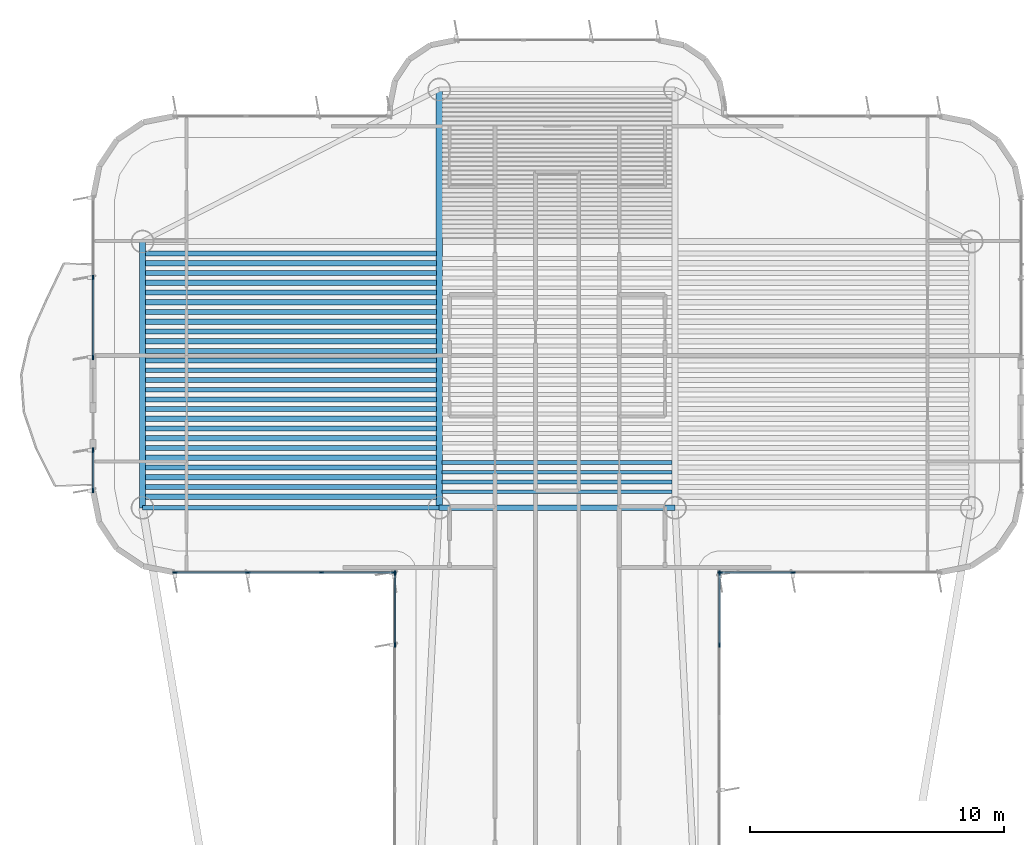
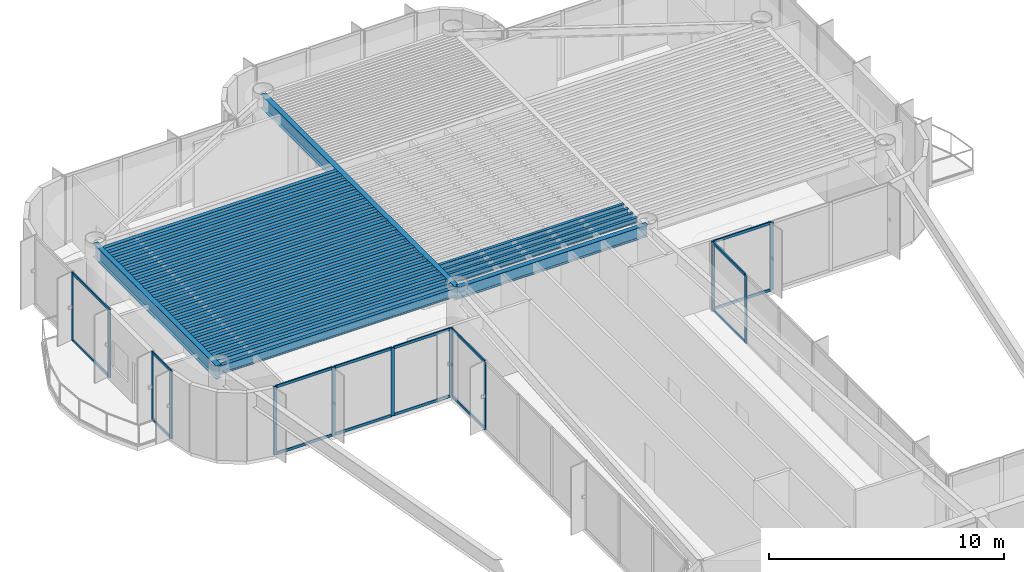
# One storey, part 5 of 16: 34 beams, 30 members, 6 elements without a shape of their own.
"""IFC4 building model written with IfcOpenShell, lengths in metres."""

from ifc_helpers import new_model, si_unit, direction, frame, origin, origin_2d, place, context, subcontext, project, spatial, rectangle, i_section, extrude, source, transform, mapped, material, layer, layer_set, material_profile, profile_set, type_object, element, aggregate, save


model = new_model("IFC4")

# Units and contexts
model_context = context("Model", 3, precision=1e-05, world=origin(), true_north=direction((0.0, 1.0)))
body_context = subcontext(model_context, "Body", "Model", "MODEL_VIEW")
ifc_project = project(units=[si_unit("LENGTHUNIT", "METRE"), si_unit("AREAUNIT", "SQUARE_METRE"), si_unit("VOLUMEUNIT", "CUBIC_METRE"), si_unit("PLANEANGLEUNIT", "RADIAN"), si_unit("MASSUNIT", "GRAM", prefix="KILO")], contexts=[model_context])

# Site, building, storey
site_placement = place(None, origin())
site = spatial("IfcSite", under=ifc_project, at=site_placement, CompositionType="ELEMENT")
building_placement = place(site_placement, origin())
building = spatial("IfcBuilding", under=site, at=building_placement, Name="Brelvock Crest Care Tower", CompositionType="ELEMENT")
storey_placement = place(building_placement, frame((0.0, 0.0, 230.580078125)))
storey = spatial("IfcBuildingStorey", under=building, at=storey_placement, Name="L58", CompositionType="ELEMENT", Elevation=230.580078125)

# Beams
ifc_material_1 = material(Name="Steel Grade 350", Category="steel")
ifc_material_profile_1 = material_profile(ifc_material_1, i_section(OverallWidth=0.25, OverallDepth=0.699951171875, WebThickness=0.011962890625, FlangeThickness=0.02001953125, at=origin_2d()), Name="700WB150")
ifc_profile_set_1 = profile_set([ifc_material_profile_1], Name="Steel Grade 350")
beam_type_1 = type_object("IfcBeamType", Name="BM-G4", PredefinedType="BEAM", material=ifc_profile_set_1)
shared_shape_1 = source(origin(), body_context, "Body", "SweptSolid", [
    extrude(i_section(OverallWidth=0.25, OverallDepth=0.699951171875, WebThickness=0.011962890625, FlangeThickness=0.02001953125, at=origin_2d()), origin(), (0.0, 0.0, 1.0), 10.5),
])
beam_1_placement = place(storey_placement, frame((19.64990234375, 43.949951171875, 3.179931640625), z_axis=(0.0, 1.0, 0.0), x_axis=(-1.0, 0.0, 0.0)))
element("IfcBeam", 1, at=beam_1_placement, inside=storey, type_object=beam_type_1, Name="BM-TWR-L58-01", PredefinedType="BEAM", context=body_context, shape_type="MappedRepresentation", body=[
    mapped(shared_shape_1, transform((0.0, 0.0, 0.0), x_axis=(1.0, 0.0, 0.0), y_axis=(0.0, 1.0, 0.0), z_axis=(0.0, 0.0, 1.0), scale=1.0)),
])
ifc_material_profile_2 = material_profile(ifc_material_1, i_section(OverallWidth=0.22900390625, OverallDepth=0.612060546875, WebThickness=0.011962890625, FlangeThickness=0.01953125, FilletRadius=0.013916015625, at=origin_2d()), Name="610UB125")
ifc_profile_set_2 = profile_set([ifc_material_profile_2], Name="Steel Grade 350")
beam_type_2 = type_object("IfcBeamType", Name="BM-G1", PredefinedType="BEAM", material=ifc_profile_set_2)
shared_shape_2 = source(origin(), body_context, "Body", "SweptSolid", [
    extrude(i_section(OverallWidth=0.22900390625, OverallDepth=0.612060546875, WebThickness=0.011962890625, FlangeThickness=0.01953125, FilletRadius=0.013916015625, at=origin_2d()), origin(), (0.0, 0.0, 1.0), 9.2998046875),
])
beam_2_placement = place(storey_placement, frame((31.35009765625, 43.949951171875, 3.223876953125), z_axis=(1.0, 0.0, 0.0), x_axis=(0.0, 1.0, 0.0)))
element("IfcBeam", 2, at=beam_2_placement, inside=storey, type_object=beam_type_2, Name="BM-TWR-L58-05", PredefinedType="BEAM", context=body_context, shape_type="MappedRepresentation", body=[
    mapped(shared_shape_2, transform((0.0, 0.0, 0.0), x_axis=(1.0, 0.0, 0.0), y_axis=(0.0, 1.0, 0.0), z_axis=(0.0, 0.0, 1.0), scale=1.0)),
])
ifc_material_profile_3 = material_profile(ifc_material_1, i_section(OverallWidth=0.14599609375, OverallDepth=0.256103515625, WebThickness=0.00634765625, FlangeThickness=0.010986328125, FilletRadius=0.0087890625, at=origin_2d()), Name="250UB37.3")
ifc_profile_set_3 = profile_set([ifc_material_profile_3], Name="Steel Grade 350")
beam_type_3 = type_object("IfcBeamType", Name="BM-J3", PredefinedType="JOIST", material=ifc_profile_set_3)
shared_shape_3 = source(origin(), body_context, "Body", "SweptSolid", [
    extrude(i_section(OverallWidth=0.14599609375, OverallDepth=0.256103515625, WebThickness=0.00634765625, FlangeThickness=0.010986328125, FilletRadius=0.0087890625, at=origin_2d()), origin(), (0.0, 0.0, 1.0), 9.06982421875),
])
for number, where, z_axis, x_axis, name in (
    (3, (31.465087890625, 44.58251953125, 3.40185546875), (1.0, 0.0, 0.0), (0.0, 1.0, 0.0), "BM-JH-L58-1"),
    (4, (31.465087890625, 44.9658203125, 3.40185546875), (1.0, 0.0, 0.0), (0.0, 1.0, 0.0), "BM-JH-L58-2"),
    (5, (31.465087890625, 45.34912109375, 3.40185546875), (1.0, 0.0, 0.0), (0.0, 1.0, 0.0), "BM-JH-L58-3"),
    (6, (31.465087890625, 45.732421875, 3.40185546875), (1.0, 0.0, 0.0), (0.0, 1.0, 0.0), "BM-JH-L58-4"),
):
    element("IfcBeam", number, at=place(storey_placement, frame(where, z_axis=z_axis, x_axis=x_axis)), inside=storey, type_object=beam_type_3, Name=name, PredefinedType="JOIST", context=body_context, shape_type="MappedRepresentation", body=[
        mapped(shared_shape_3, transform((0.0, 0.0, 0.0), x_axis=(1.0, 0.0, 0.0), y_axis=(0.0, 1.0, 0.0), z_axis=(0.0, 0.0, 1.0), scale=1.0)),
    ])
ifc_material_profile_4 = material_profile(ifc_material_1, i_section(OverallWidth=0.19091796875, OverallDepth=0.4599609375, WebThickness=0.010009765625, FlangeThickness=0.01611328125, FilletRadius=0.011474609375, at=origin_2d()), Name="460UB82.1")
ifc_profile_set_4 = profile_set([ifc_material_profile_4], Name="Steel Grade 350")
beam_type_4 = type_object("IfcBeamType", Name="BM-G3", PredefinedType="BEAM", material=ifc_profile_set_4)
shared_shape_4 = source(origin(), body_context, "Body", "SweptSolid", [
    extrude(i_section(OverallWidth=0.19091796875, OverallDepth=0.4599609375, WebThickness=0.010009765625, FlangeThickness=0.01611328125, FilletRadius=0.011474609375, at=origin_2d()), origin(), (0.0, 0.0, 1.0), 11.47021484375),
])
for number, where, z_axis, x_axis, name in (
    (7, (19.764892578125, 44.7744140625, 3.2998046875), (1.0, 0.0, 0.0), (0.0, 1.0, 0.0), "BM-JW-L58-2"),
    (8, (19.764892578125, 45.540771484375, 3.2998046875), (1.0, 0.0, 0.0), (0.0, 1.0, 0.0), "BM-JW-L58-4"),
    (9, (19.764892578125, 46.307373046875, 3.2998046875), (1.0, 0.0, 0.0), (0.0, 1.0, 0.0), "BM-JW-L58-6"),
    (10, (19.764892578125, 47.07373046875, 3.2998046875), (1.0, 0.0, 0.0), (0.0, 1.0, 0.0), "BM-JW-L58-8"),
    (11, (19.764892578125, 47.84033203125, 3.2998046875), (1.0, 0.0, 0.0), (0.0, 1.0, 0.0), "BM-JW-L58-10"),
    (12, (19.764892578125, 48.606689453125, 3.2998046875), (1.0, 0.0, 0.0), (0.0, 1.0, 0.0), "BM-JW-L58-12"),
    (13, (19.764892578125, 49.373291015625, 3.2998046875), (1.0, 0.0, 0.0), (0.0, 1.0, 0.0), "BM-JW-L58-14"),
    (14, (19.764892578125, 50.139892578125, 3.2998046875), (1.0, 0.0, 0.0), (0.0, 1.0, 0.0), "BM-JW-L58-16"),
    (15, (19.764892578125, 50.90625, 3.2998046875), (1.0, 0.0, 0.0), (0.0, 1.0, 0.0), "BM-JW-L58-18"),
    (16, (19.764892578125, 51.6728515625, 3.2998046875), (1.0, 0.0, 0.0), (0.0, 1.0, 0.0), "BM-JW-L58-20"),
    (17, (19.764892578125, 52.439208984375, 3.2998046875), (1.0, 0.0, 0.0), (0.0, 1.0, 0.0), "BM-JW-L58-22"),
    (18, (19.764892578125, 53.205810546875, 3.2998046875), (1.0, 0.0, 0.0), (0.0, 1.0, 0.0), "BM-JW-L58-24"),
    (19, (19.764892578125, 53.972412109375, 3.2998046875), (1.0, 0.0, 0.0), (0.0, 1.0, 0.0), "BM-JW-L58-26"),
):
    element("IfcBeam", number, at=place(storey_placement, frame(where, z_axis=z_axis, x_axis=x_axis)), inside=storey, type_object=beam_type_4, Name=name, PredefinedType="BEAM", context=body_context, shape_type="MappedRepresentation", body=[
        mapped(shared_shape_4, transform((0.0, 0.0, 0.0), x_axis=(1.0, 0.0, 0.0), y_axis=(0.0, 1.0, 0.0), z_axis=(0.0, 0.0, 1.0), scale=1.0)),
    ])
ifc_material_profile_5 = material_profile(ifc_material_1, i_section(OverallWidth=0.208984375, OverallDepth=0.532958984375, WebThickness=0.01025390625, FlangeThickness=0.015625, FilletRadius=0.013916015625, at=origin_2d()), Name="530UB92.4")
ifc_profile_set_5 = profile_set([ifc_material_profile_5], Name="Steel Grade 350")
beam_type_5 = type_object("IfcBeamType", Name="BM-G2", PredefinedType="BEAM", material=ifc_profile_set_5)
shared_shape_5 = source(origin(), body_context, "Body", "SweptSolid", [
    extrude(i_section(OverallWidth=0.208984375, OverallDepth=0.532958984375, WebThickness=0.01025390625, FlangeThickness=0.015625, FilletRadius=0.013916015625, at=origin_2d()), origin(), (0.0, 0.0, 1.0), 11.47021484375),
])
for number, where, z_axis, x_axis, name in (
    (20, (19.764892578125, 44.39111328125, 3.263427734375), (1.0, 0.0, 0.0), (0.0, 1.0, 0.0), "BM-JW-L58-1"),
    (21, (19.764892578125, 45.157470703125, 3.263427734375), (1.0, 0.0, 0.0), (0.0, 1.0, 0.0), "BM-JW-L58-3"),
    (22, (19.764892578125, 45.924072265625, 3.263427734375), (1.0, 0.0, 0.0), (0.0, 1.0, 0.0), "BM-JW-L58-5"),
    (23, (19.764892578125, 46.6904296875, 3.263427734375), (1.0, 0.0, 0.0), (0.0, 1.0, 0.0), "BM-JW-L58-7"),
    (24, (19.764892578125, 47.45703125, 3.263427734375), (1.0, 0.0, 0.0), (0.0, 1.0, 0.0), "BM-JW-L58-9"),
    (25, (19.764892578125, 48.223388671875, 3.263427734375), (1.0, 0.0, 0.0), (0.0, 1.0, 0.0), "BM-JW-L58-11"),
    (26, (19.764892578125, 48.989990234375, 3.263427734375), (1.0, 0.0, 0.0), (0.0, 1.0, 0.0), "BM-JW-L58-13"),
    (27, (19.764892578125, 49.756591796875, 3.263427734375), (1.0, 0.0, 0.0), (0.0, 1.0, 0.0), "BM-JW-L58-15"),
    (28, (19.764892578125, 50.52294921875, 3.263427734375), (1.0, 0.0, 0.0), (0.0, 1.0, 0.0), "BM-JW-L58-17"),
    (29, (19.764892578125, 51.28955078125, 3.263427734375), (1.0, 0.0, 0.0), (0.0, 1.0, 0.0), "BM-JW-L58-19"),
    (30, (19.764892578125, 52.055908203125, 3.263427734375), (1.0, 0.0, 0.0), (0.0, 1.0, 0.0), "BM-JW-L58-21"),
    (31, (19.764892578125, 52.822509765625, 3.263427734375), (1.0, 0.0, 0.0), (0.0, 1.0, 0.0), "BM-JW-L58-23"),
    (32, (19.764892578125, 53.589111328125, 3.263427734375), (1.0, 0.0, 0.0), (0.0, 1.0, 0.0), "BM-JW-L58-25"),
):
    element("IfcBeam", number, at=place(storey_placement, frame(where, z_axis=z_axis, x_axis=x_axis)), inside=storey, type_object=beam_type_5, Name=name, PredefinedType="BEAM", context=body_context, shape_type="MappedRepresentation", body=[
        mapped(shared_shape_5, transform((0.0, 0.0, 0.0), x_axis=(1.0, 0.0, 0.0), y_axis=(0.0, 1.0, 0.0), z_axis=(0.0, 0.0, 1.0), scale=1.0)),
    ])
ifc_material_profile_6 = material_profile(ifc_material_1, i_section(OverallWidth=0.19091796875, OverallDepth=0.4599609375, WebThickness=0.010009765625, FlangeThickness=0.01611328125, FilletRadius=0.011474609375, at=origin_2d()), Name="460UB82.1")
ifc_profile_set_6 = profile_set([ifc_material_profile_6], Name="Steel Grade 350")
beam_type_6 = type_object("IfcBeamType", Name="BM-SP2", PredefinedType="SPANDREL", material=ifc_profile_set_6)
shared_shape_6 = source(origin(), body_context, "Body", "SweptSolid", [
    extrude(i_section(OverallWidth=0.19091796875, OverallDepth=0.4599609375, WebThickness=0.010009765625, FlangeThickness=0.01611328125, FilletRadius=0.011474609375, at=origin_2d()), origin(), (0.0, 0.0, 1.0), 11.7001953125),
])
beam_3_placement = place(storey_placement, frame((19.64990234375, 43.949951171875, 3.2998046875), z_axis=(1.0, 0.0, 0.0), x_axis=(0.0, 1.0, 0.0)))
element("IfcBeam", 33, at=beam_3_placement, inside=storey, type_object=beam_type_6, Name="BM-TWR-L58-03", PredefinedType="SPANDREL", context=body_context, shape_type="MappedRepresentation", body=[
    mapped(shared_shape_6, transform((0.0, 0.0, 0.0), x_axis=(1.0, 0.0, 0.0), y_axis=(0.0, 1.0, 0.0), z_axis=(0.0, 0.0, 1.0), scale=1.0)),
])
shared_shape_7 = source(origin(), body_context, "Body", "SweptSolid", [
    extrude(i_section(OverallWidth=0.25, OverallDepth=0.699951171875, WebThickness=0.011962890625, FlangeThickness=0.02001953125, at=origin_2d()), origin(), (0.0, 0.0, 1.0), 16.5),
])
beam_4_placement = place(storey_placement, frame((31.35009765625, 43.949951171875, 3.179931640625), z_axis=(0.0, 1.0, 0.0), x_axis=(-1.0, 0.0, 0.0)))
element("IfcBeam", 34, at=beam_4_placement, inside=storey, type_object=beam_type_1, Name="BM-TWR-L58-09", PredefinedType="BEAM", context=body_context, shape_type="MappedRepresentation", body=[
    mapped(shared_shape_7, transform((0.0, 0.0, 0.0), x_axis=(1.0, 0.0, 0.0), y_axis=(0.0, 1.0, 0.0), z_axis=(0.0, 0.0, 1.0), scale=1.0)),
])

# Curtain wall, members
ifc_material_2 = material(Name="Dark Glass Double Glazed Low-E", Category="glass")
ifc_layer = layer(ifc_material_2, 0.239990234375, Name="CWS-5")
ifc_layer_set = layer_set([ifc_layer], Name="Dark Glass Double Glazed Low-E")
curtain_wall_type = type_object("IfcCurtainWallType", Name="CWS-5", PredefinedType="NOTDEFINED", material=ifc_layer_set)
curtain_wall_1_placement = place(storey_placement, origin())
curtain_wall_1 = element("IfcCurtainWall", 35, at=curtain_wall_1_placement, inside=storey, type_object=curtain_wall_type, Name="L58 Curtain Wall E11", PredefinedType="NOTDEFINED")
ifc_material_3 = material(Name="Aluminium 6063-T6", Category="aluminium")
ifc_material_profile_7 = material_profile(ifc_material_3, rectangle(XDim=0.06005859375, YDim=0.179931640625, at=origin_2d()), Name="ALU60x180")
ifc_profile_set_7 = profile_set([ifc_material_profile_7], Name="Aluminium 6063-T6")
member_type_1 = type_object("IfcMemberType", Name="CWM-2", PredefinedType="MULLION", material=ifc_profile_set_7)
shared_shape_8 = source(origin(), body_context, "Body", "SweptSolid", [
    extrude(rectangle(XDim=0.06005859375, YDim=0.179931640625, at=origin_2d()), origin(), (0.0, 0.0, 1.0), 3.530029296875),
])
member_1_placement = place(storey_placement, frame((29.60009765625, 38.54296875, 0.0), z_axis=(0.0, 0.0, 1.0), x_axis=(-1.0, 0.0, 0.0)))
member_1 = element("IfcMember", 36, at=member_1_placement, type_object=member_type_1, Name="CW-5 mullion 7", PredefinedType="MULLION", context=body_context, shape_type="MappedRepresentation", body=[
    mapped(shared_shape_8, transform((0.0, 0.0, 0.0), x_axis=(1.0, 0.0, 0.0), y_axis=(0.0, 1.0, 0.0), z_axis=(0.0, 0.0, 1.0), scale=1.0)),
])
member_2_placement = place(storey_placement, frame((29.60009765625, 41.3701171875, 0.0), z_axis=(0.0, 0.0, 1.0), x_axis=(-1.0, 0.0, 0.0)))
member_2 = element("IfcMember", 37, at=member_2_placement, type_object=member_type_1, Name="CW-5 mullion 8", PredefinedType="MULLION", context=body_context, shape_type="MappedRepresentation", body=[
    mapped(shared_shape_8, transform((0.0, 0.0, 0.0), x_axis=(1.0, 0.0, 0.0), y_axis=(0.0, 1.0, 0.0), z_axis=(0.0, 0.0, 1.0), scale=1.0)),
])

curtain_wall_2_placement = place(storey_placement, origin())
curtain_wall_2 = element("IfcCurtainWall", 38, at=curtain_wall_2_placement, inside=storey, type_object=curtain_wall_type, Name="L58 Curtain Wall E12", PredefinedType="NOTDEFINED")
member_3_placement = place(storey_placement, frame((29.570068359375, 41.39990234375, 0.0), z_axis=(0.0, 0.0, 1.0), x_axis=(0.0, -1.0, 0.0)))
member_3 = element("IfcMember", 39, at=member_3_placement, type_object=member_type_1, Name="CW-5 mullion 1", PredefinedType="MULLION", context=body_context, shape_type="MappedRepresentation", body=[
    mapped(shared_shape_8, transform((0.0, 0.0, 0.0), x_axis=(1.0, 0.0, 0.0), y_axis=(0.0, 1.0, 0.0), z_axis=(0.0, 0.0, 1.0), scale=1.0)),
])
member_4_placement = place(storey_placement, frame((26.699951171875, 41.39990234375, 0.0), z_axis=(0.0, 0.0, 1.0), x_axis=(0.0, -1.0, 0.0)))
member_4 = element("IfcMember", 40, at=member_4_placement, type_object=member_type_1, Name="CW-5 mullion 2", PredefinedType="MULLION", context=body_context, shape_type="MappedRepresentation", body=[
    mapped(shared_shape_8, transform((0.0, 0.0, 0.0), x_axis=(1.0, 0.0, 0.0), y_axis=(0.0, 1.0, 0.0), z_axis=(0.0, 0.0, 1.0), scale=1.0)),
])
member_5_placement = place(storey_placement, frame((23.800048828125, 41.39990234375, 0.0), z_axis=(0.0, 0.0, 1.0), x_axis=(0.0, -1.0, 0.0)))
member_5 = element("IfcMember", 41, at=member_5_placement, type_object=member_type_1, Name="CW-5 mullion 3", PredefinedType="MULLION", context=body_context, shape_type="MappedRepresentation", body=[
    mapped(shared_shape_8, transform((0.0, 0.0, 0.0), x_axis=(1.0, 0.0, 0.0), y_axis=(0.0, 1.0, 0.0), z_axis=(0.0, 0.0, 1.0), scale=1.0)),
])
member_6_placement = place(storey_placement, frame((20.929931640625, 41.39990234375, 0.0), z_axis=(0.0, 0.0, 1.0), x_axis=(0.0, -1.0, 0.0)))
member_6 = element("IfcMember", 42, at=member_6_placement, type_object=member_type_1, Name="CW-5 mullion 4", PredefinedType="MULLION", context=body_context, shape_type="MappedRepresentation", body=[
    mapped(shared_shape_8, transform((0.0, 0.0, 0.0), x_axis=(1.0, 0.0, 0.0), y_axis=(0.0, 1.0, 0.0), z_axis=(0.0, 0.0, 1.0), scale=1.0)),
])

curtain_wall_3_placement = place(storey_placement, origin())
curtain_wall_3 = element("IfcCurtainWall", 43, at=curtain_wall_3_placement, inside=storey, type_object=curtain_wall_type, Name="L58 Curtain Wall E17A", PredefinedType="NOTDEFINED")
member_7_placement = place(storey_placement, frame((17.699951171875, 44.6298828125, 0.0), z_axis=(0.0, 0.0, 1.0), x_axis=(-1.0, 0.0, 0.0)))
member_7 = element("IfcMember", 44, at=member_7_placement, type_object=member_type_1, Name="CW-5 mullion 1", PredefinedType="MULLION", context=body_context, shape_type="MappedRepresentation", body=[
    mapped(shared_shape_8, transform((0.0, 0.0, 0.0), x_axis=(1.0, 0.0, 0.0), y_axis=(0.0, 1.0, 0.0), z_axis=(0.0, 0.0, 1.0), scale=1.0)),
])
member_8_placement = place(storey_placement, frame((17.699951171875, 46.219970703125, 0.0), z_axis=(0.0, 0.0, 1.0), x_axis=(-1.0, 0.0, 0.0)))
member_8 = element("IfcMember", 45, at=member_8_placement, type_object=member_type_1, Name="CW-5 mullion 2", PredefinedType="MULLION", context=body_context, shape_type="MappedRepresentation", body=[
    mapped(shared_shape_8, transform((0.0, 0.0, 0.0), x_axis=(1.0, 0.0, 0.0), y_axis=(0.0, 1.0, 0.0), z_axis=(0.0, 0.0, 1.0), scale=1.0)),
])

curtain_wall_4_placement = place(storey_placement, origin())
curtain_wall_4 = element("IfcCurtainWall", 46, at=curtain_wall_4_placement, inside=storey, type_object=curtain_wall_type, Name="L58 Curtain Wall E17B", PredefinedType="NOTDEFINED")
member_9_placement = place(storey_placement, frame((17.699951171875, 49.8798828125, 0.0), z_axis=(0.0, 0.0, 1.0), x_axis=(-1.0, 0.0, 0.0)))
member_9 = element("IfcMember", 47, at=member_9_placement, type_object=member_type_1, Name="CW-5 mullion 1", PredefinedType="MULLION", context=body_context, shape_type="MappedRepresentation", body=[
    mapped(shared_shape_8, transform((0.0, 0.0, 0.0), x_axis=(1.0, 0.0, 0.0), y_axis=(0.0, 1.0, 0.0), z_axis=(0.0, 0.0, 1.0), scale=1.0)),
])
member_10_placement = place(storey_placement, frame((17.699951171875, 53.02490234375, 0.0), z_axis=(0.0, 0.0, 1.0), x_axis=(-1.0, 0.0, 0.0)))
member_10 = element("IfcMember", 48, at=member_10_placement, type_object=member_type_1, Name="CW-5 mullion 2", PredefinedType="MULLION", context=body_context, shape_type="MappedRepresentation", body=[
    mapped(shared_shape_8, transform((0.0, 0.0, 0.0), x_axis=(1.0, 0.0, 0.0), y_axis=(0.0, 1.0, 0.0), z_axis=(0.0, 0.0, 1.0), scale=1.0)),
])

curtain_wall_5_placement = place(storey_placement, origin())
curtain_wall_5 = element("IfcCurtainWall", 49, at=curtain_wall_5_placement, inside=storey, type_object=curtain_wall_type, Name="L58 Curtain Wall E44", PredefinedType="NOTDEFINED")
member_11_placement = place(storey_placement, frame((45.300048828125, 41.39990234375, 0.0), z_axis=(0.0, 0.0, 1.0), x_axis=(0.0, -1.0, 0.0)))
member_11 = element("IfcMember", 50, at=member_11_placement, type_object=member_type_1, Name="CW-5 mullion 3", PredefinedType="MULLION", context=body_context, shape_type="MappedRepresentation", body=[
    mapped(shared_shape_8, transform((0.0, 0.0, 0.0), x_axis=(1.0, 0.0, 0.0), y_axis=(0.0, 1.0, 0.0), z_axis=(0.0, 0.0, 1.0), scale=1.0)),
])
member_12_placement = place(storey_placement, frame((42.429931640625, 41.39990234375, 0.0), z_axis=(0.0, 0.0, 1.0), x_axis=(0.0, -1.0, 0.0)))
member_12 = element("IfcMember", 51, at=member_12_placement, type_object=member_type_1, Name="CW-5 mullion 4", PredefinedType="MULLION", context=body_context, shape_type="MappedRepresentation", body=[
    mapped(shared_shape_8, transform((0.0, 0.0, 0.0), x_axis=(1.0, 0.0, 0.0), y_axis=(0.0, 1.0, 0.0), z_axis=(0.0, 0.0, 1.0), scale=1.0)),
])

curtain_wall_6_placement = place(storey_placement, origin())
curtain_wall_6 = element("IfcCurtainWall", 52, at=curtain_wall_6_placement, inside=storey, type_object=curtain_wall_type, Name="L58 Curtain Wall E45", PredefinedType="NOTDEFINED")
member_13_placement = place(storey_placement, frame((42.39990234375, 41.3701171875, 0.0), z_axis=(0.0, 0.0, 1.0), x_axis=(1.0, 0.0, 0.0)))
member_13 = element("IfcMember", 53, at=member_13_placement, type_object=member_type_1, Name="CW-5 mullion 1", PredefinedType="MULLION", context=body_context, shape_type="MappedRepresentation", body=[
    mapped(shared_shape_8, transform((0.0, 0.0, 0.0), x_axis=(1.0, 0.0, 0.0), y_axis=(0.0, 1.0, 0.0), z_axis=(0.0, 0.0, 1.0), scale=1.0)),
])
member_14_placement = place(storey_placement, frame((42.39990234375, 38.54296875, 0.0), z_axis=(0.0, 0.0, 1.0), x_axis=(1.0, 0.0, 0.0)))
member_14 = element("IfcMember", 54, at=member_14_placement, type_object=member_type_1, Name="CW-5 mullion 2", PredefinedType="MULLION", context=body_context, shape_type="MappedRepresentation", body=[
    mapped(shared_shape_8, transform((0.0, 0.0, 0.0), x_axis=(1.0, 0.0, 0.0), y_axis=(0.0, 1.0, 0.0), z_axis=(0.0, 0.0, 1.0), scale=1.0)),
])

# Member
ifc_material_profile_8 = material_profile(ifc_material_3, rectangle(XDim=0.06005859375, YDim=0.139892578125, at=origin_2d()), Name="ALU60x140")
ifc_profile_set_8 = profile_set([ifc_material_profile_8], Name="Aluminium 6063-T6")
member_type_2 = type_object("IfcMemberType", Name="CWT-2", PredefinedType="USERDEFINED", material=ifc_profile_set_8)
shared_shape_9 = source(origin(), body_context, "Body", "SweptSolid", [
    extrude(rectangle(XDim=0.06005859375, YDim=0.139892578125, at=origin_2d()), origin(), (0.0, 0.0, 1.0), 1.530029296875),
])
member_15_placement = place(storey_placement, frame((17.699951171875, 44.659912109375, 0.030029296875), z_axis=(0.0, 1.0, 0.0), x_axis=(-1.0, 0.0, 0.0)))
member_15 = element("IfcMember", 55, at=member_15_placement, type_object=member_type_2, Name="CW-5 transom 1.1", ObjectType="TRANSOM", PredefinedType="USERDEFINED", context=body_context, shape_type="MappedRepresentation", body=[
    mapped(shared_shape_9, transform((0.0, 0.0, 0.0), x_axis=(1.0, 0.0, 0.0), y_axis=(0.0, 1.0, 0.0), z_axis=(0.0, 0.0, 1.0), scale=1.0)),
])

member_16_placement = place(storey_placement, frame((17.699951171875, 44.659912109375, 3.5), z_axis=(0.0, 1.0, 0.0), x_axis=(-1.0, 0.0, 0.0)))
member_16 = element("IfcMember", 56, at=member_16_placement, type_object=member_type_2, Name="CW-5 transom 1.2", ObjectType="TRANSOM", PredefinedType="USERDEFINED", context=body_context, shape_type="MappedRepresentation", body=[
    mapped(shared_shape_9, transform((0.0, 0.0, 0.0), x_axis=(1.0, 0.0, 0.0), y_axis=(0.0, 1.0, 0.0), z_axis=(0.0, 0.0, 1.0), scale=1.0)),
])

aggregate(curtain_wall_3, [member_7, member_8, member_15, member_16])

shared_shape_10 = source(origin(), body_context, "Body", "SweptSolid", [
    extrude(rectangle(XDim=0.06005859375, YDim=0.139892578125, at=origin_2d()), origin(), (0.0, 0.0, 1.0), 2.767333984375),
])
member_17_placement = place(storey_placement, frame((29.60009765625, 38.57275390625, 0.030029296875), z_axis=(0.0, 1.0, 0.0), x_axis=(-1.0, 0.0, 0.0)))
member_17 = element("IfcMember", 57, at=member_17_placement, type_object=member_type_2, Name="CW-5 transom 7.1", ObjectType="TRANSOM", PredefinedType="USERDEFINED", context=body_context, shape_type="MappedRepresentation", body=[
    mapped(shared_shape_10, transform((0.0, 0.0, 0.0), x_axis=(1.0, 0.0, 0.0), y_axis=(0.0, 1.0, 0.0), z_axis=(0.0, 0.0, 1.0), scale=1.0)),
])

member_18_placement = place(storey_placement, frame((29.60009765625, 38.57275390625, 3.5), z_axis=(0.0, 1.0, 0.0), x_axis=(-1.0, 0.0, 0.0)))
member_18 = element("IfcMember", 58, at=member_18_placement, type_object=member_type_2, Name="CW-5 transom 7.2", ObjectType="TRANSOM", PredefinedType="USERDEFINED", context=body_context, shape_type="MappedRepresentation", body=[
    mapped(shared_shape_10, transform((0.0, 0.0, 0.0), x_axis=(1.0, 0.0, 0.0), y_axis=(0.0, 1.0, 0.0), z_axis=(0.0, 0.0, 1.0), scale=1.0)),
])

aggregate(curtain_wall_1, [member_1, member_2, member_17, member_18])

member_19_placement = place(storey_placement, frame((42.39990234375, 41.340087890625, 0.030029296875), z_axis=(0.0, -1.0, 0.0), x_axis=(1.0, 0.0, 0.0)))
member_19 = element("IfcMember", 59, at=member_19_placement, type_object=member_type_2, Name="CW-5 transom 1.1", ObjectType="TRANSOM", PredefinedType="USERDEFINED", context=body_context, shape_type="MappedRepresentation", body=[
    mapped(shared_shape_10, transform((0.0, 0.0, 0.0), x_axis=(1.0, 0.0, 0.0), y_axis=(0.0, 1.0, 0.0), z_axis=(0.0, 0.0, 1.0), scale=1.0)),
])

member_20_placement = place(storey_placement, frame((42.39990234375, 41.340087890625, 3.5), z_axis=(0.0, -1.0, 0.0), x_axis=(1.0, 0.0, 0.0)))
member_20 = element("IfcMember", 60, at=member_20_placement, type_object=member_type_2, Name="CW-5 transom 1.2", ObjectType="TRANSOM", PredefinedType="USERDEFINED", context=body_context, shape_type="MappedRepresentation", body=[
    mapped(shared_shape_10, transform((0.0, 0.0, 0.0), x_axis=(1.0, 0.0, 0.0), y_axis=(0.0, 1.0, 0.0), z_axis=(0.0, 0.0, 1.0), scale=1.0)),
])

aggregate(curtain_wall_6, [member_13, member_14, member_19, member_20])

shared_shape_11 = source(origin(), body_context, "Body", "SweptSolid", [
    extrude(rectangle(XDim=0.06005859375, YDim=0.139892578125, at=origin_2d()), origin(), (0.0, 0.0, 1.0), 2.81005859375),
])
member_21_placement = place(storey_placement, frame((29.5400390625, 41.39990234375, 0.030029296875), z_axis=(-1.0, 0.0, 0.0), x_axis=(0.0, -1.0, 0.0)))
member_21 = element("IfcMember", 61, at=member_21_placement, type_object=member_type_2, Name="CW-5 transom 1.1", ObjectType="TRANSOM", PredefinedType="USERDEFINED", context=body_context, shape_type="MappedRepresentation", body=[
    mapped(shared_shape_11, transform((0.0, 0.0, 0.0), x_axis=(1.0, 0.0, 0.0), y_axis=(0.0, 1.0, 0.0), z_axis=(0.0, 0.0, 1.0), scale=1.0)),
])

member_22_placement = place(storey_placement, frame((29.5400390625, 41.39990234375, 3.5), z_axis=(-1.0, 0.0, 0.0), x_axis=(0.0, -1.0, 0.0)))
member_22 = element("IfcMember", 62, at=member_22_placement, type_object=member_type_2, Name="CW-5 transom 1.2", ObjectType="TRANSOM", PredefinedType="USERDEFINED", context=body_context, shape_type="MappedRepresentation", body=[
    mapped(shared_shape_11, transform((0.0, 0.0, 0.0), x_axis=(1.0, 0.0, 0.0), y_axis=(0.0, 1.0, 0.0), z_axis=(0.0, 0.0, 1.0), scale=1.0)),
])

member_23_placement = place(storey_placement, frame((23.77001953125, 41.39990234375, 0.030029296875), z_axis=(-1.0, 0.0, 0.0), x_axis=(0.0, -1.0, 0.0)))
member_23 = element("IfcMember", 63, at=member_23_placement, type_object=member_type_2, Name="CW-5 transom 3.1", ObjectType="TRANSOM", PredefinedType="USERDEFINED", context=body_context, shape_type="MappedRepresentation", body=[
    mapped(shared_shape_11, transform((0.0, 0.0, 0.0), x_axis=(1.0, 0.0, 0.0), y_axis=(0.0, 1.0, 0.0), z_axis=(0.0, 0.0, 1.0), scale=1.0)),
])

member_24_placement = place(storey_placement, frame((23.77001953125, 41.39990234375, 3.5), z_axis=(-1.0, 0.0, 0.0), x_axis=(0.0, -1.0, 0.0)))
member_24 = element("IfcMember", 64, at=member_24_placement, type_object=member_type_2, Name="CW-5 transom 3.2", ObjectType="TRANSOM", PredefinedType="USERDEFINED", context=body_context, shape_type="MappedRepresentation", body=[
    mapped(shared_shape_11, transform((0.0, 0.0, 0.0), x_axis=(1.0, 0.0, 0.0), y_axis=(0.0, 1.0, 0.0), z_axis=(0.0, 0.0, 1.0), scale=1.0)),
])

member_25_placement = place(storey_placement, frame((45.27001953125, 41.39990234375, 0.030029296875), z_axis=(-1.0, 0.0, 0.0), x_axis=(0.0, -1.0, 0.0)))
member_25 = element("IfcMember", 65, at=member_25_placement, type_object=member_type_2, Name="CW-5 transom 3.1", ObjectType="TRANSOM", PredefinedType="USERDEFINED", context=body_context, shape_type="MappedRepresentation", body=[
    mapped(shared_shape_11, transform((0.0, 0.0, 0.0), x_axis=(1.0, 0.0, 0.0), y_axis=(0.0, 1.0, 0.0), z_axis=(0.0, 0.0, 1.0), scale=1.0)),
])

member_26_placement = place(storey_placement, frame((45.27001953125, 41.39990234375, 3.5), z_axis=(-1.0, 0.0, 0.0), x_axis=(0.0, -1.0, 0.0)))
member_26 = element("IfcMember", 66, at=member_26_placement, type_object=member_type_2, Name="CW-5 transom 3.2", ObjectType="TRANSOM", PredefinedType="USERDEFINED", context=body_context, shape_type="MappedRepresentation", body=[
    mapped(shared_shape_11, transform((0.0, 0.0, 0.0), x_axis=(1.0, 0.0, 0.0), y_axis=(0.0, 1.0, 0.0), z_axis=(0.0, 0.0, 1.0), scale=1.0)),
])

aggregate(curtain_wall_5, [member_11, member_12, member_25, member_26])

shared_shape_12 = source(origin(), body_context, "Body", "SweptSolid", [
    extrude(rectangle(XDim=0.06005859375, YDim=0.139892578125, at=origin_2d()), origin(), (0.0, 0.0, 1.0), 2.83984375),
])
member_27_placement = place(storey_placement, frame((26.669921875, 41.39990234375, 0.030029296875), z_axis=(-1.0, 0.0, 0.0), x_axis=(0.0, -1.0, 0.0)))
member_27 = element("IfcMember", 67, at=member_27_placement, type_object=member_type_2, Name="CW-5 transom 2.1", ObjectType="TRANSOM", PredefinedType="USERDEFINED", context=body_context, shape_type="MappedRepresentation", body=[
    mapped(shared_shape_12, transform((0.0, 0.0, 0.0), x_axis=(1.0, 0.0, 0.0), y_axis=(0.0, 1.0, 0.0), z_axis=(0.0, 0.0, 1.0), scale=1.0)),
])

member_28_placement = place(storey_placement, frame((26.669921875, 41.39990234375, 3.5), z_axis=(-1.0, 0.0, 0.0), x_axis=(0.0, -1.0, 0.0)))
member_28 = element("IfcMember", 68, at=member_28_placement, type_object=member_type_2, Name="CW-5 transom 2.2", ObjectType="TRANSOM", PredefinedType="USERDEFINED", context=body_context, shape_type="MappedRepresentation", body=[
    mapped(shared_shape_12, transform((0.0, 0.0, 0.0), x_axis=(1.0, 0.0, 0.0), y_axis=(0.0, 1.0, 0.0), z_axis=(0.0, 0.0, 1.0), scale=1.0)),
])

aggregate(curtain_wall_2, [member_3, member_4, member_5, member_6, member_21, member_22, member_27, member_28, member_23, member_24])

shared_shape_13 = source(origin(), body_context, "Body", "SweptSolid", [
    extrude(rectangle(XDim=0.06005859375, YDim=0.139892578125, at=origin_2d()), origin(), (0.0, 0.0, 1.0), 3.085205078125),
])
member_29_placement = place(storey_placement, frame((17.699951171875, 49.909912109375, 0.030029296875), z_axis=(0.0, 1.0, 0.0), x_axis=(-1.0, 0.0, 0.0)))
member_29 = element("IfcMember", 69, at=member_29_placement, type_object=member_type_2, Name="CW-5 transom 1.1", ObjectType="TRANSOM", PredefinedType="USERDEFINED", context=body_context, shape_type="MappedRepresentation", body=[
    mapped(shared_shape_13, transform((0.0, 0.0, 0.0), x_axis=(1.0, 0.0, 0.0), y_axis=(0.0, 1.0, 0.0), z_axis=(0.0, 0.0, 1.0), scale=1.0)),
])

member_30_placement = place(storey_placement, frame((17.699951171875, 49.909912109375, 3.5), z_axis=(0.0, 1.0, 0.0), x_axis=(-1.0, 0.0, 0.0)))
member_30 = element("IfcMember", 70, at=member_30_placement, type_object=member_type_2, Name="CW-5 transom 1.2", ObjectType="TRANSOM", PredefinedType="USERDEFINED", context=body_context, shape_type="MappedRepresentation", body=[
    mapped(shared_shape_13, transform((0.0, 0.0, 0.0), x_axis=(1.0, 0.0, 0.0), y_axis=(0.0, 1.0, 0.0), z_axis=(0.0, 0.0, 1.0), scale=1.0)),
])

aggregate(curtain_wall_4, [member_9, member_10, member_29, member_30])

save(model, "model.ifc")
